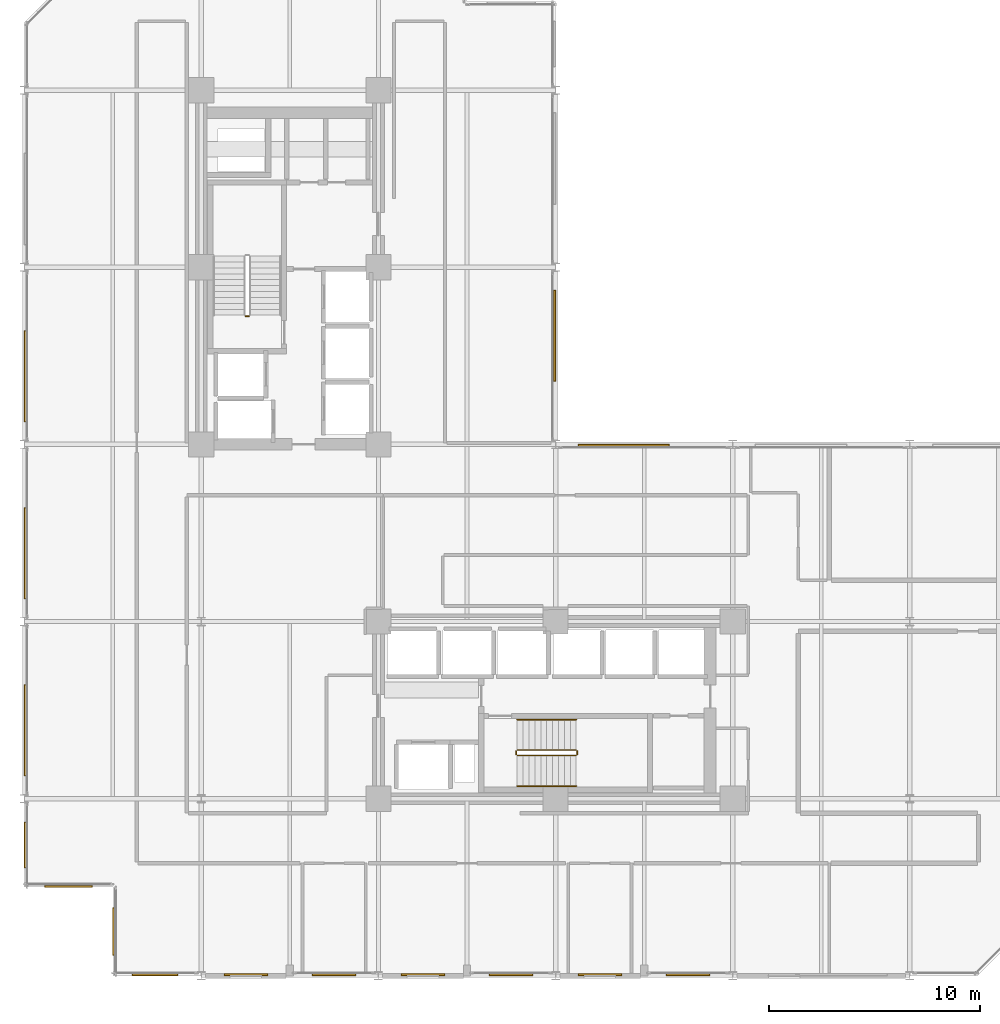
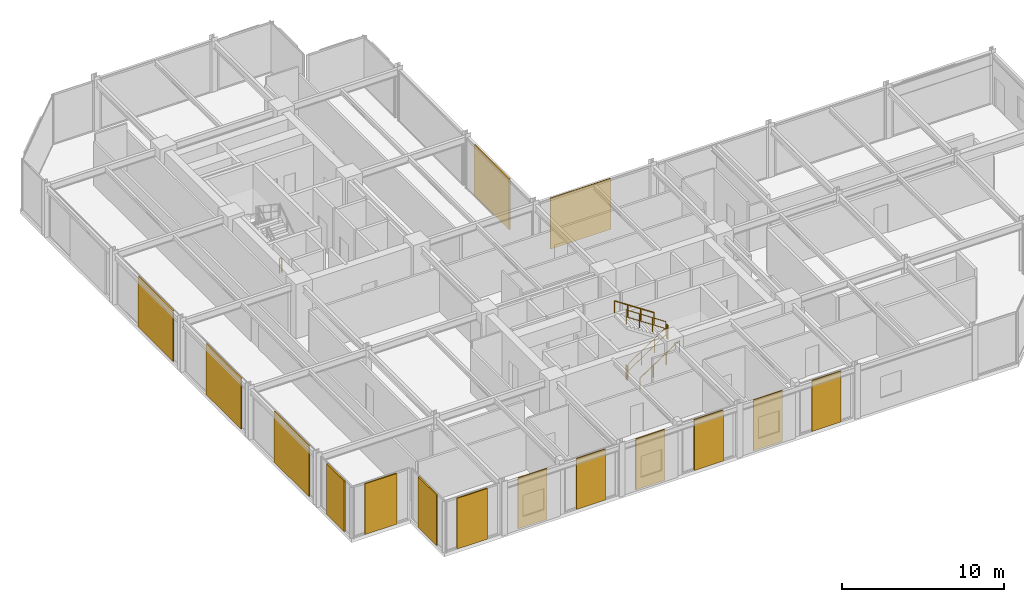
# One storey, part 36 of 38: 15 coverings, 7 railings.
"""IFC4 building model written with IfcOpenShell, lengths in metres."""

from ifc_helpers import new_model, si_unit, direction, frame, origin, origin_2d, place, context, subcontext, project, spatial, rectangle, circle, extrude, material, layer, layer_set, type_object, element, save


model = new_model("IFC4")

# Units and contexts
model_context = context("Model", 3, precision=1e-05, world=origin(), true_north=direction((0.0, 1.0)))
body_context = subcontext(model_context, "Body", "Model", "MODEL_VIEW")
ifc_project = project(units=[si_unit("LENGTHUNIT", "METRE"), si_unit("AREAUNIT", "SQUARE_METRE"), si_unit("VOLUMEUNIT", "CUBIC_METRE"), si_unit("PLANEANGLEUNIT", "RADIAN"), si_unit("MASSUNIT", "GRAM", prefix="KILO")], contexts=[model_context])

# Site, building, storey
site_placement = place(None, origin())
site = spatial("IfcSite", under=ifc_project, at=site_placement, CompositionType="ELEMENT")
building_placement = place(site_placement, origin())
building = spatial("IfcBuilding", under=site, at=building_placement, Name="Nerrivon Quay Data Exchange", CompositionType="ELEMENT")
storey_placement = place(building_placement, frame((0.0, 0.0, 84.39990234375)))
storey = spatial("IfcBuildingStorey", under=building, at=storey_placement, Name="L19", CompositionType="ELEMENT", Elevation=84.39990234375)

# Coverings
ifc_material_1 = material(Name="Architectural terracotta ceramic", Category="masonry")
ifc_layer = layer(ifc_material_1, 0.090087890625)
ifc_layer_set = layer_set([ifc_layer], Name="Architectural terracotta ceramic")
covering_type = type_object("IfcCoveringType", Name="COV-SCR-TERR", PredefinedType="CLADDING", material=ifc_layer_set)
covering_1_placement = place(storey_placement, frame((31.487548828125, 0.044921875, 0.0), z_axis=(0.0, 0.0, 1.0), x_axis=(-1.0, 0.0, 0.0)))
element("IfcCovering", 1, at=covering_1_placement, inside=storey, type_object=covering_type, Name="L19 Perforated Terracotta SOLAR SCREEN Cassette", PredefinedType="CLADDING", context=body_context, shape_type="SweptSolid", body=[
    extrude(rectangle(XDim=2.06494140625, YDim=0.090087890625, at=origin_2d()), origin(), (0.0, 0.0, 1.0), 3.824951171875),
])
covering_2_placement = place(storey_placement, frame((27.3125, 0.044921875, 0.0), z_axis=(0.0, 0.0, 1.0), x_axis=(-1.0, 0.0, 0.0)))
element("IfcCovering", 2, at=covering_2_placement, inside=storey, type_object=covering_type, Name="L19 Perforated Terracotta SOLAR SCREEN Cassette", PredefinedType="CLADDING", context=body_context, shape_type="SweptSolid", body=[
    extrude(rectangle(XDim=2.06591796875, YDim=0.090087890625, at=origin_2d()), origin(), (0.0, 0.0, 1.0), 3.824951171875),
])
for number, where, z_axis, x_axis, name in (
    (3, (23.08740234375, 0.044921875, 0.0), (0.0, 0.0, 1.0), (-1.0, 0.0, 0.0), "L19 Perforated Terracotta SOLAR SCREEN Cassette"),
    (4, (18.91259765625, 0.044921875, 0.0), (0.0, 0.0, 1.0), (-1.0, 0.0, 0.0), "L19 Perforated Terracotta SOLAR SCREEN Cassette"),
):
    element("IfcCovering", number, at=place(storey_placement, frame(where, z_axis=z_axis, x_axis=x_axis)), inside=storey, type_object=covering_type, Name=name, PredefinedType="CLADDING", context=body_context, shape_type="SweptSolid", body=[
        extrude(rectangle(XDim=2.06494140625, YDim=0.090087890625, at=origin_2d()), origin(), (0.0, 0.0, 1.0), 3.824951171875),
    ])
for number, where, z_axis, x_axis, name in (
    (5, (14.6875, 0.044921875, 0.0), (0.0, 0.0, 1.0), (-1.0, 0.0, 0.0), "L19 Perforated Terracotta SOLAR SCREEN Cassette"),
    (6, (10.512451171875, 0.044921875, 0.0), (0.0, 0.0, 1.0), (-1.0, 0.0, 0.0), "L19 Perforated Terracotta SOLAR SCREEN Cassette"),
):
    element("IfcCovering", number, at=place(storey_placement, frame(where, z_axis=z_axis, x_axis=x_axis)), inside=storey, type_object=covering_type, Name=name, PredefinedType="CLADDING", context=body_context, shape_type="SweptSolid", body=[
        extrude(rectangle(XDim=2.06591796875, YDim=0.090087890625, at=origin_2d()), origin(), (0.0, 0.0, 1.0), 3.824951171875),
    ])
covering_3_placement = place(storey_placement, frame((6.199951171875, 0.044921875, 0.0), z_axis=(0.0, 0.0, 1.0), x_axis=(-1.0, 0.0, 0.0)))
element("IfcCovering", 7, at=covering_3_placement, inside=storey, type_object=covering_type, Name="L19 Perforated Terracotta SOLAR SCREEN Cassette", PredefinedType="CLADDING", context=body_context, shape_type="SweptSolid", body=[
    extrude(rectangle(XDim=2.159912109375, YDim=0.090087890625, at=origin_2d()), origin(), (0.0, 0.0, 1.0), 3.824951171875),
])
for number, where, z_axis, x_axis, name in (
    (8, (4.2451171875, 2.10009765625, 0.0), (0.0, 0.0, 1.0), (0.0, 1.0, 0.0), "L19 Perforated Terracotta SOLAR SCREEN Cassette"),
    (9, (2.10009765625, 4.2451171875, 0.0), (0.0, 0.0, 1.0), (-1.0, 0.0, 0.0), "L19 Perforated Terracotta SOLAR SCREEN Cassette"),
):
    element("IfcCovering", number, at=place(storey_placement, frame(where, z_axis=z_axis, x_axis=x_axis)), inside=storey, type_object=covering_type, Name=name, PredefinedType="CLADDING", context=body_context, shape_type="SweptSolid", body=[
        extrude(rectangle(XDim=2.26806640625, YDim=0.090087890625, at=origin_2d()), origin(), (0.0, 0.0, 1.0), 3.824951171875),
    ])
covering_4_placement = place(storey_placement, frame((0.044921875, 6.199951171875, 0.0), z_axis=(0.0, 0.0, 1.0), x_axis=(0.0, 1.0, 0.0)))
element("IfcCovering", 10, at=covering_4_placement, inside=storey, type_object=covering_type, Name="L19 Perforated Terracotta SOLAR SCREEN Cassette", PredefinedType="CLADDING", context=body_context, shape_type="SweptSolid", body=[
    extrude(rectangle(XDim=2.159912109375, YDim=0.090087890625, at=origin_2d()), origin(), (0.0, 0.0, 1.0), 3.824951171875),
])
for number, where, z_axis, x_axis, name in (
    (11, (0.044921875, 11.639892578125, 0.0), (0.0, 0.0, 1.0), (0.0, 1.0, 0.0), "L19 Perforated Terracotta SOLAR SCREEN Cassette"),
    (12, (0.044921875, 20.0400390625, 0.0), (0.0, 0.0, 1.0), (0.0, 1.0, 0.0), "L19 Perforated Terracotta SOLAR SCREEN Cassette"),
    (13, (0.044921875, 28.43994140625, 0.0), (0.0, 0.0, 1.0), (0.0, 1.0, 0.0), "L19 Perforated Terracotta SOLAR SCREEN Cassette"),
    (14, (25.155029296875, 30.360107421875, 0.0), (0.0, 0.0, 1.0), (0.0, -1.0, 0.0), "L19 Perforated Terracotta SOLAR SCREEN Cassette"),
    (15, (28.43994140625, 25.155029296875, 0.0), (0.0, 0.0, 1.0), (1.0, 0.0, 0.0), "L19 Perforated Terracotta SOLAR SCREEN Cassette"),
):
    element("IfcCovering", number, at=place(storey_placement, frame(where, z_axis=z_axis, x_axis=x_axis)), inside=storey, type_object=covering_type, Name=name, PredefinedType="CLADDING", context=body_context, shape_type="SweptSolid", body=[
        extrude(rectangle(XDim=4.320068359375, YDim=0.090087890625, at=origin_2d()), origin(), (0.0, 0.0, 1.0), 3.824951171875),
    ])

# Railings
ifc_material_2 = material(Name="Steel Grade C350L0 (350 MPa)", Category="steel")
railing_type_1 = type_object("IfcRailingType", Name="RAIL-HAND-HR1", PredefinedType="HANDRAIL", material=ifc_material_2)
railing_1_placement = place(storey_placement, frame((23.3798828125, 9.0, 0.1865234375)))
element("IfcRailing", 16, at=railing_1_placement, inside=storey, type_object=railing_type_1, Name="L19 ST02 stair handrail 1", PredefinedType="HANDRAIL", context=body_context, shape_type="SweptSolid", body=[
    extrude(circle(Radius=0.02392578125, at=origin_2d()), frame((0.0, 0.0, 0.8759765625), z_axis=(0.832485552168, 0.0, 0.554046753832), x_axis=(0.0, 1.0, 0.0)), (0.0, 0.0, 1.0), 3.363525390625),
    extrude(circle(Radius=0.02099609375, at=origin_2d()), origin(), (0.0, 0.0, 1.0), 0.851806640625),
    extrude(circle(Radius=0.02099609375, at=origin_2d()), frame((0.933349609375, 0.0, 0.62109375)), (0.0, 0.0, 1.0), 0.851806640625),
    extrude(circle(Radius=0.02099609375, at=origin_2d()), frame((1.86669921875, 0.0, 1.242431640625)), (0.0, 0.0, 1.0), 0.851806640625),
    extrude(circle(Radius=0.02099609375, at=origin_2d()), frame((2.800048828125, 0.0, 1.863525390625)), (0.0, 0.0, 1.0), 0.851806640625),
])
railing_2_placement = place(storey_placement, frame((26.179931640625, 12.14990234375, 2.236572265625)))
element("IfcRailing", 17, at=railing_2_placement, inside=storey, type_object=railing_type_1, Name="L19 ST02 stair handrail 2", PredefinedType="HANDRAIL", context=body_context, shape_type="SweptSolid", body=[
    extrude(circle(Radius=0.02392578125, at=origin_2d()), frame((0.0, 0.0, 0.8759765625), z_axis=(-0.832485552168, 0.0, 0.554046753832), x_axis=(0.0, -1.0, 0.0)), (0.0, 0.0, 1.0), 3.363525390625),
    extrude(circle(Radius=0.02099609375, at=origin_2d()), origin(), (0.0, 0.0, 1.0), 0.851806640625),
    extrude(circle(Radius=0.02099609375, at=origin_2d()), frame((-0.933349609375, 0.0, 0.62109375)), (0.0, 0.0, 1.0), 0.851806640625),
    extrude(circle(Radius=0.02099609375, at=origin_2d()), frame((-1.86669921875, 0.0, 1.242431640625)), (0.0, 0.0, 1.0), 0.851806640625),
    extrude(circle(Radius=0.02099609375, at=origin_2d()), frame((-2.800048828125, 0.0, 1.863525390625)), (0.0, 0.0, 1.0), 0.851806640625),
])
railing_type_2 = type_object("IfcRailingType", Name="RAIL-STAIR-GR1", PredefinedType="BALUSTRADE", material=ifc_material_2)
railing_3_placement = place(storey_placement, frame((10.64990234375, 31.280029296875, 0.0)))
element("IfcRailing", 18, at=railing_3_placement, inside=storey, type_object=railing_type_2, Name="L19 ST01 stair guard 4", PredefinedType="BALUSTRADE", context=body_context, shape_type="SweptSolid", body=[
    extrude(circle(Radius=0.02392578125, at=origin_2d()), frame((0.0, 0.0, 1.076171875), z_axis=(-1.0, 0.0, 0.0), x_axis=(0.0, -1.0, 0.0)), (0.0, 0.0, 1.0), 0.14990234375),
    extrude(circle(Radius=0.02392578125, at=origin_2d()), frame((0.0, 0.0, 0.550048828125), z_axis=(-1.0, 0.0, 0.0), x_axis=(0.0, -1.0, 0.0)), (0.0, 0.0, 1.0), 0.14990234375),
    extrude(circle(Radius=0.02099609375, at=origin_2d()), origin(), (0.0, 0.0, 1.0), 1.052001953125),
    extrude(circle(Radius=0.02099609375, at=origin_2d()), frame((-0.14990234375, 0.0, 0.0)), (0.0, 0.0, 1.0), 1.052001953125),
])
railing_4_placement = place(storey_placement, frame((23.3798828125, 10.449951171875, 0.1865234375)))
element("IfcRailing", 19, at=railing_4_placement, inside=storey, type_object=railing_type_2, Name="L19 ST02 stair guard 1", PredefinedType="BALUSTRADE", context=body_context, shape_type="SweptSolid", body=[
    extrude(circle(Radius=0.02392578125, at=origin_2d()), frame((0.0, 0.0, 1.076171875), z_axis=(0.832485552168, 0.0, 0.554046753832), x_axis=(0.0, 1.0, 0.0)), (0.0, 0.0, 1.0), 3.363525390625),
    extrude(circle(Radius=0.02392578125, at=origin_2d()), frame((0.0, 0.0, 0.550048828125), z_axis=(0.832485552168, 0.0, 0.554046753832), x_axis=(0.0, 1.0, 0.0)), (0.0, 0.0, 1.0), 3.363525390625),
    extrude(circle(Radius=0.02099609375, at=origin_2d()), origin(), (0.0, 0.0, 1.0), 1.052001953125),
    extrude(circle(Radius=0.02099609375, at=origin_2d()), frame((0.933349609375, 0.0, 0.62109375)), (0.0, 0.0, 1.0), 1.052001953125),
    extrude(circle(Radius=0.02099609375, at=origin_2d()), frame((1.86669921875, 0.0, 1.242431640625)), (0.0, 0.0, 1.0), 1.052001953125),
    extrude(circle(Radius=0.02099609375, at=origin_2d()), frame((2.800048828125, 0.0, 1.863525390625)), (0.0, 0.0, 1.0), 1.052001953125),
])
railing_5_placement = place(storey_placement, frame((26.22998046875, 10.5, 2.050048828125)))
element("IfcRailing", 20, at=railing_5_placement, inside=storey, type_object=railing_type_2, Name="L19 ST02 stair guard 2", PredefinedType="BALUSTRADE", context=body_context, shape_type="SweptSolid", body=[
    extrude(circle(Radius=0.02392578125, at=origin_2d()), frame((0.0, 0.0, 1.076171875), z_axis=(0.0, 1.0, 0.0), x_axis=(-1.0, 0.0, 0.0)), (0.0, 0.0, 1.0), 0.14990234375),
    extrude(circle(Radius=0.02392578125, at=origin_2d()), frame((0.0, 0.0, 0.550048828125), z_axis=(0.0, 1.0, 0.0), x_axis=(-1.0, 0.0, 0.0)), (0.0, 0.0, 1.0), 0.14990234375),
    extrude(circle(Radius=0.02099609375, at=origin_2d()), origin(), (0.0, 0.0, 1.0), 1.052001953125),
    extrude(circle(Radius=0.02099609375, at=origin_2d()), frame((0.0, 0.14990234375, 0.0)), (0.0, 0.0, 1.0), 1.052001953125),
])
railing_6_placement = place(storey_placement, frame((26.179931640625, 10.699951171875, 2.236572265625)))
element("IfcRailing", 21, at=railing_6_placement, inside=storey, type_object=railing_type_2, Name="L19 ST02 stair guard 3", PredefinedType="BALUSTRADE", context=body_context, shape_type="SweptSolid", body=[
    extrude(circle(Radius=0.02392578125, at=origin_2d()), frame((0.0, 0.0, 1.076171875), z_axis=(-0.832485552168, 0.0, 0.554046753832), x_axis=(0.0, -1.0, 0.0)), (0.0, 0.0, 1.0), 3.363525390625),
    extrude(circle(Radius=0.02392578125, at=origin_2d()), frame((0.0, 0.0, 0.550048828125), z_axis=(-0.832485552168, 0.0, 0.554046753832), x_axis=(0.0, -1.0, 0.0)), (0.0, 0.0, 1.0), 3.363525390625),
    extrude(circle(Radius=0.02099609375, at=origin_2d()), origin(), (0.0, 0.0, 1.0), 1.052001953125),
    extrude(circle(Radius=0.02099609375, at=origin_2d()), frame((-0.933349609375, 0.0, 0.62109375)), (0.0, 0.0, 1.0), 1.052001953125),
    extrude(circle(Radius=0.02099609375, at=origin_2d()), frame((-1.86669921875, 0.0, 1.242431640625)), (0.0, 0.0, 1.0), 1.052001953125),
    extrude(circle(Radius=0.02099609375, at=origin_2d()), frame((-2.800048828125, 0.0, 1.863525390625)), (0.0, 0.0, 1.0), 1.052001953125),
])
railing_7_placement = place(storey_placement, frame((23.330078125, 10.5, 0.0)))
element("IfcRailing", 22, at=railing_7_placement, inside=storey, type_object=railing_type_2, Name="L19 ST02 stair guard 4", PredefinedType="BALUSTRADE", context=body_context, shape_type="SweptSolid", body=[
    extrude(circle(Radius=0.02392578125, at=origin_2d()), frame((0.0, 0.0, 1.076171875), z_axis=(0.0, 1.0, 0.0), x_axis=(-1.0, 0.0, 0.0)), (0.0, 0.0, 1.0), 0.14990234375),
    extrude(circle(Radius=0.02392578125, at=origin_2d()), frame((0.0, 0.0, 0.550048828125), z_axis=(0.0, 1.0, 0.0), x_axis=(-1.0, 0.0, 0.0)), (0.0, 0.0, 1.0), 0.14990234375),
    extrude(circle(Radius=0.02099609375, at=origin_2d()), origin(), (0.0, 0.0, 1.0), 1.052001953125),
    extrude(circle(Radius=0.02099609375, at=origin_2d()), frame((0.0, 0.14990234375, 0.0)), (0.0, 0.0, 1.0), 1.052001953125),
])

save(model, "model.ifc")
